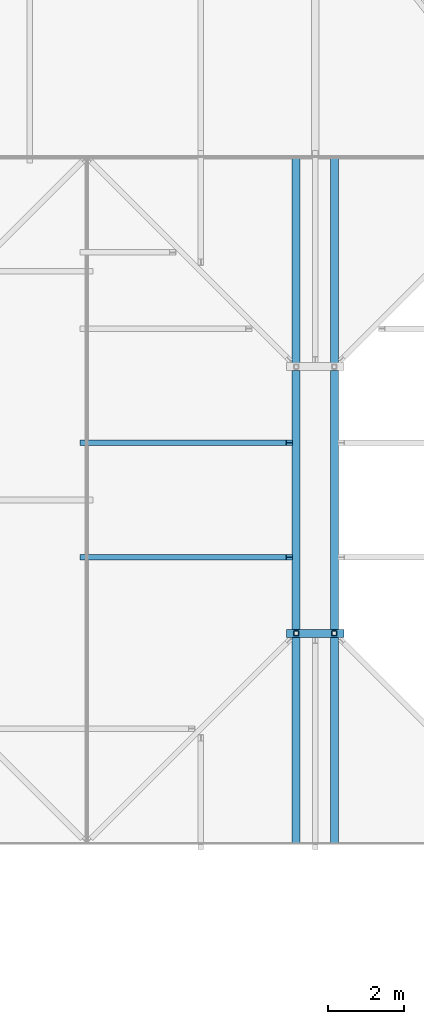
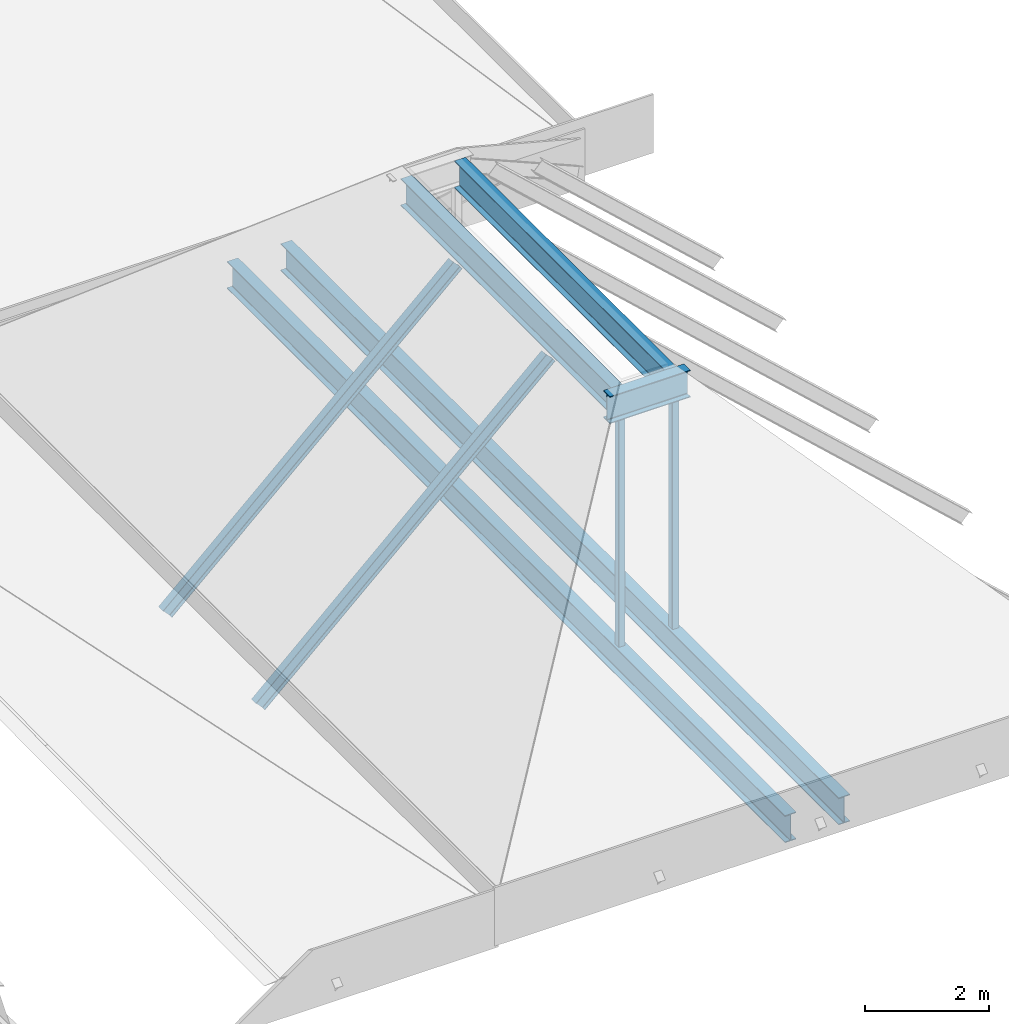
# One storey, part 31 of 57: 5 beams, 4 members.
"""IFC4 building model written with IfcOpenShell, lengths in metres."""

from ifc_helpers import new_model, si_unit, direction, frame, origin, origin_2d, place, context, subcontext, project, spatial, hollow_rectangle, i_section, extrude, material, material_profile, profile_set, type_object, element, save


model = new_model("IFC4")

# Units and contexts
model_context = context("Model", 3, precision=1e-05, world=origin(), true_north=direction((0.0, 1.0)))
body_context = subcontext(model_context, "Body", "Model", "MODEL_VIEW")
ifc_project = project(units=[si_unit("LENGTHUNIT", "METRE"), si_unit("AREAUNIT", "SQUARE_METRE"), si_unit("VOLUMEUNIT", "CUBIC_METRE"), si_unit("PLANEANGLEUNIT", "RADIAN"), si_unit("MASSUNIT", "GRAM", prefix="KILO")], contexts=[model_context])

# Site, building, storey
site_placement = place(None, origin())
site = spatial("IfcSite", under=ifc_project, at=site_placement, CompositionType="ELEMENT")
building_placement = place(site_placement, origin())
building = spatial("IfcBuilding", under=site, at=building_placement, Name="Saffron Lane Theatres", CompositionType="ELEMENT")
storey_placement = place(building_placement, frame((0.0, 0.0, 28.0)))
storey = spatial("IfcBuildingStorey", under=building, at=storey_placement, Name="Upper Roof", CompositionType="ELEMENT", Elevation=28.0)

# Beams
ifc_material_1 = material(Name="Steel Grade 350", Category="steel")
ifc_material_profile_1 = material_profile(ifc_material_1, i_section(OverallWidth=0.208984375, OverallDepth=0.532958984375, WebThickness=0.01025390625, FlangeThickness=0.015625, FilletRadius=0.013916015625, at=origin_2d()))
ifc_profile_set_1 = profile_set([ifc_material_profile_1], Name="Steel Grade 350")
beam_type = type_object("IfcBeamType", Name="ST-CROWN GIRDER 530UB92.4", PredefinedType="BEAM", material=ifc_profile_set_1)
beam_placement = place(storey_placement, frame((47.25, 95.5, 5.294677734375), z_axis=(1.0, 0.0, 0.0), x_axis=(0.0, 1.0, 0.0)))
element("IfcBeam", 1, at=beam_placement, inside=storey, type_object=beam_type, Name="BK3-C1", PredefinedType="BEAM", context=body_context, shape_type="SweptSolid", body=[
    extrude(i_section(OverallWidth=0.208984375, OverallDepth=0.532958984375, WebThickness=0.01025390625, FlangeThickness=0.015625, FilletRadius=0.013916015625, at=origin_2d()), origin(), (0.0, 0.0, 1.0), 1.5),
])
for number, where, z_axis, x_axis, name in (
    (2, (47.5, 95.6044921875, 5.294677734375), (0.0, 1.0, 0.0), (-1.0, 0.0, 0.0), "BK3-C3"),
    (3, (48.5, 95.6044921875, 5.294677734375), (0.0, 1.0, 0.0), (-1.0, 0.0, 0.0), "BK3-C4"),
):
    element("IfcBeam", number, at=place(storey_placement, frame(where, z_axis=z_axis, x_axis=x_axis)), inside=storey, type_object=beam_type, Name=name, PredefinedType="BEAM", context=body_context, shape_type="SweptSolid", body=[
        extrude(i_section(OverallWidth=0.208984375, OverallDepth=0.532958984375, WebThickness=0.01025390625, FlangeThickness=0.015625, FilletRadius=0.013916015625, at=origin_2d()), origin(), (0.0, 0.0, 1.0), 6.791015625),
    ])
for number, where, z_axis, x_axis, name in (
    (4, (47.5, 90.0, 0.2666015625), (0.0, 1.0, 0.0), (-1.0, 0.0, 0.0), "BK3-G1"),
    (5, (48.5, 90.0, 0.2666015625), (0.0, 1.0, 0.0), (-1.0, 0.0, 0.0), "BK3-G2"),
):
    element("IfcBeam", number, at=place(storey_placement, frame(where, z_axis=z_axis, x_axis=x_axis)), inside=storey, type_object=beam_type, Name=name, PredefinedType="BEAM", context=body_context, shape_type="SweptSolid", body=[
        extrude(i_section(OverallWidth=0.208984375, OverallDepth=0.532958984375, WebThickness=0.01025390625, FlangeThickness=0.015625, FilletRadius=0.013916015625, at=origin_2d()), origin(), (0.0, 0.0, 1.0), 18.0),
    ])

# Members
ifc_material_2 = material(Name="Steel Grade 350", Category="steel")
ifc_material_profile_2 = material_profile(ifc_material_2, i_section(OverallWidth=0.14599609375, OverallDepth=0.251953125, WebThickness=0.006103515625, FlangeThickness=0.008544921875, FilletRadius=0.011962890625, at=origin_2d()))
ifc_profile_set_2 = profile_set([ifc_material_profile_2], Name="Steel Grade 350")
member_type_1 = type_object("IfcMemberType", Name="ST-JACK RAFTER 250UB31.4", PredefinedType="RAFTER", material=ifc_profile_set_2)
for number, where, z_axis, x_axis, name in (
    (6, (41.914794921875, 97.5, 0.0927734375), (0.735882670699, 0.0, 0.67710907169), (0.0, 1.0, 0.0), "BK3-K9"),
    (7, (41.914794921875, 100.5, 0.0927734375), (0.735882670699, 0.0, 0.67710907169), (0.0, 1.0, 0.0), "BK3-K11"),
):
    element("IfcMember", number, at=place(storey_placement, frame(where, z_axis=z_axis, x_axis=x_axis)), inside=storey, type_object=member_type_1, Name=name, PredefinedType="RAFTER", context=body_context, shape_type="SweptSolid", body=[
        extrude(i_section(OverallWidth=0.14599609375, OverallDepth=0.251953125, WebThickness=0.006103515625, FlangeThickness=0.008544921875, FilletRadius=0.011962890625, at=origin_2d()), origin(), (0.0, 0.0, 1.0), 7.348388671875),
    ])
ifc_material_3 = material(Name="Steel Grade 350", Category="steel")
ifc_material_profile_3 = material_profile(ifc_material_3, hollow_rectangle(XDim=0.125, YDim=0.125, WallThickness=0.006103515625, InnerFilletRadius=0.0029296875, OuterFilletRadius=0.009033203125, at=origin_2d()))
ifc_profile_set_3 = profile_set([ifc_material_profile_3], Name="Steel Grade 350")
member_type_2 = type_object("IfcMemberType", Name="ST-STUDIO POST 125x125x6 SHS", PredefinedType="POST", material=ifc_profile_set_3)
for number, where, z_axis, x_axis, name in (
    (8, (47.5, 95.5, 0.532958984375), (0.0, 0.0, 1.0), (1.0, 0.0, 0.0), "BK3-P1-95.5"),
    (9, (48.5, 95.5, 0.532958984375), (0.0, 0.0, 1.0), (1.0, 0.0, 0.0), "BK3-P2-95.5"),
):
    element("IfcMember", number, at=place(storey_placement, frame(where, z_axis=z_axis, x_axis=x_axis)), inside=storey, type_object=member_type_2, Name=name, PredefinedType="POST", context=body_context, shape_type="SweptSolid", body=[
        extrude(hollow_rectangle(XDim=0.125, YDim=0.125, WallThickness=0.006103515625, InnerFilletRadius=0.0029296875, OuterFilletRadius=0.009033203125, at=origin_2d()), origin(), (0.0, 0.0, 1.0), 4.4951171875),
    ])

save(model, "model.ifc")
